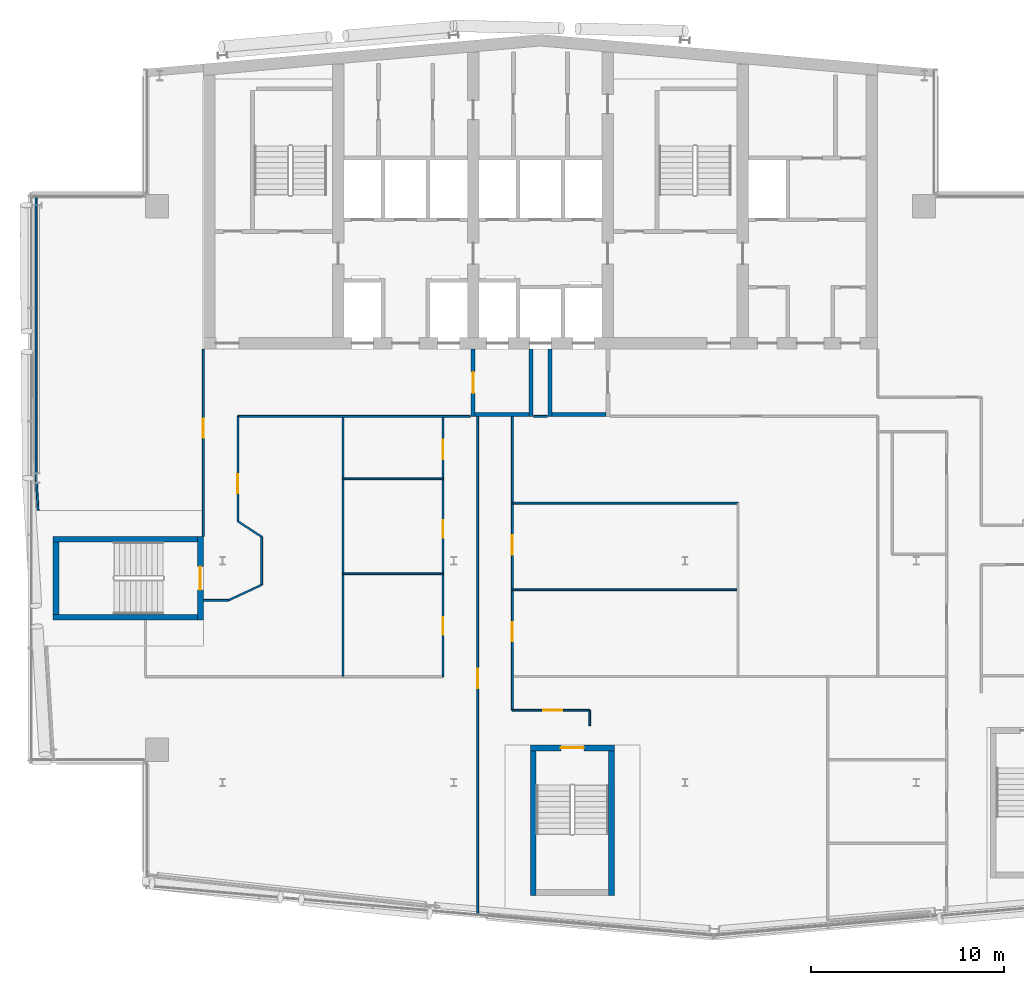
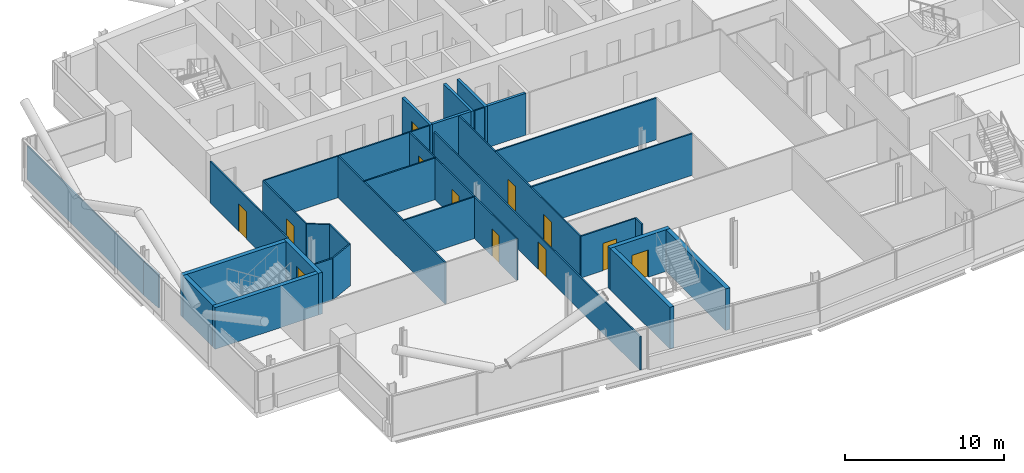
# One storey, part 15 of 27: 32 walls, 12 doors, 12 openings.
"""IFC4 building model written with IfcOpenShell, lengths in metres."""

from ifc_helpers import new_model, si_unit, direction, frame, frame_2d, origin, place, context, subcontext, project, spatial, rectangle, extrude, material, layer, layer_set, type_object, element, fill, save


model = new_model("IFC4")

# Units and contexts
model_context = context("Model", 3, precision=1e-05, world=origin(), true_north=direction((0.0, 1.0)))
body_context = subcontext(model_context, "Body", "Model", "MODEL_VIEW")
ifc_project = project(units=[si_unit("LENGTHUNIT", "METRE"), si_unit("AREAUNIT", "SQUARE_METRE"), si_unit("VOLUMEUNIT", "CUBIC_METRE"), si_unit("PLANEANGLEUNIT", "RADIAN"), si_unit("MASSUNIT", "GRAM", prefix="KILO")], contexts=[model_context])

# Site, building, storey
site_placement = place(None, origin())
site = spatial("IfcSite", under=ifc_project, at=site_placement, CompositionType="ELEMENT")
building_placement = place(site_placement, origin())
building = spatial("IfcBuilding", under=site, at=building_placement, Name="Wharfspan Tower", CompositionType="ELEMENT")
storey_placement = place(building_placement, frame((0.0, 0.0, 228.699951)))
storey = spatial("IfcBuildingStorey", under=building, at=storey_placement, Name="L57", CompositionType="ELEMENT", Elevation=228.699951)

# Wall, opening, door
ifc_material_1 = material(Name="Gypsum board on steel studs", Category="steel")
ifc_layer_1 = layer(ifc_material_1, 0.100098)
ifc_layer_set_1 = layer_set([ifc_layer_1], Name="Gypsum board on steel studs")
wall_type_1 = type_object("IfcWallType", Name="Compartment wall 100 EI 60", PredefinedType="PARTITIONING", material=ifc_layer_set_1)
wall_1_placement = place(storey_placement, frame((23.0, 24.274902, 0.0), z_axis=(0.0, 0.0, 1.0), x_axis=(0.0, 1.0, 0.0)))
wall_1 = element("IfcWall", 1, at=wall_1_placement, inside=storey, type_object=wall_type_1, Name="Partition L57.w007", PredefinedType="PARTITIONING", context=body_context, shape_type="SweptSolid", body=[
    extrude(rectangle(XDim=9.705078, YDim=0.100098, at=frame_2d((4.852539, 0.0))), origin(), (0.0, 0.0, 1.0), 3.199951),
])
opening_1_placement = place(wall_1_placement, frame((5.10498, 0.0, 0.0)))
opening_1 = element("IfcOpeningElement", 2, at=opening_1_placement, cuts=wall_1, Name="Opening D3-15", PredefinedType="OPENING", context=body_context, shape_type="SweptSolid", body=[
    extrude(rectangle(XDim=1.0, YDim=2.100098, at=frame_2d((0.5, 1.050049))), frame((0.0, 0.060059, 0.0), z_axis=(0.0, -1.0, 0.0), x_axis=(1.0, 0.0, 0.0)), (0.0, 0.0, 1.0), 0.120117),
])
ifc_material_2 = material(Name="Fire-rated timber door leaf in steel frame", Category="steel")
door_type_1 = type_object("IfcDoorType", Name="Door 1000 FD30S Right", OperationType="SINGLE_SWING_RIGHT", PredefinedType="DOOR", material=ifc_material_2)
door_1_placement = place(opening_1_placement, origin())
door_1 = element("IfcDoor", 3, at=door_1_placement, inside=storey, type_object=door_type_1, Name="Door D3-15", OperationType="SINGLE_SWING_RIGHT", OverallHeight=2.100098, OverallWidth=1.0, PredefinedType="DOOR", context=body_context, shape_type="SweptSolid", body=[
    extrude(rectangle(XDim=1.0, YDim=2.100098, at=frame_2d((0.5, 1.050049))), frame((0.0, 0.024902, 0.0), z_axis=(0.0, -1.0, 0.0), x_axis=(1.0, 0.0, 0.0)), (0.0, 0.0, 1.0), 0.050049),
])
fill(opening_1, door_1)

# Walls
wall_2_placement = place(storey_placement, frame((23.02002, 20.949951, 0.0), z_axis=(0.0, 0.0, 1.0), x_axis=(1.0, 0.0, 0.0)))
element("IfcWall", 4, at=wall_2_placement, inside=storey, type_object=wall_type_1, Name="Partition L57.w008", PredefinedType="PARTITIONING", context=body_context, shape_type="SweptSolid", body=[
    extrude(rectangle(XDim=1.280029, YDim=0.100098, at=frame_2d((0.640137, 0.0))), origin(), (0.0, 0.0, 1.0), 3.199951),
])
wall_3_placement = place(storey_placement, frame((24.300049, 20.949951, 0.0), z_axis=(0.0, 0.0, 1.0), x_axis=(0.907168, 0.420777, 0.0)))
element("IfcWall", 5, at=wall_3_placement, inside=storey, type_object=wall_type_1, Name="Partition L57.w009", PredefinedType="PARTITIONING", context=body_context, shape_type="SweptSolid", body=[
    extrude(rectangle(XDim=1.901367, YDim=0.100098, at=frame_2d((0.950684, 0.0))), origin(), (0.0, 0.0, 1.0), 3.199951),
])

# Wall, opening, door
wall_4_placement = place(storey_placement, frame((24.800049, 25.050049, 0.0), z_axis=(0.0, 0.0, 1.0), x_axis=(0.0, 1.0, 0.0)))
wall_4 = element("IfcWall", 6, at=wall_4_placement, inside=storey, type_object=wall_type_1, Name="Partition L57.w010", PredefinedType="PARTITIONING", context=body_context, shape_type="SweptSolid", body=[
    extrude(rectangle(XDim=5.449951, YDim=0.100098, at=frame_2d((2.725098, 0.0))), origin(), (0.0, 0.0, 1.0), 3.199951),
])
opening_2_placement = place(wall_4_placement, frame((1.455322, 0.0, 0.0)))
opening_2 = element("IfcOpeningElement", 7, at=opening_2_placement, cuts=wall_4, Name="Opening D3-12", PredefinedType="OPENING", context=body_context, shape_type="SweptSolid", body=[
    extrude(rectangle(XDim=1.0, YDim=2.100098, at=frame_2d((0.5, 1.050049))), frame((0.0, 0.060059, 0.0), z_axis=(0.0, -1.0, 0.0), x_axis=(1.0, 0.0, 0.0)), (0.0, 0.0, 1.0), 0.120117),
])
door_type_2 = type_object("IfcDoorType", Name="Door 1000 FD30S Left", OperationType="SINGLE_SWING_LEFT", PredefinedType="DOOR", material=ifc_material_2)
door_2_placement = place(opening_2_placement, origin())
door_2 = element("IfcDoor", 8, at=door_2_placement, inside=storey, type_object=door_type_2, Name="Door D3-12", OperationType="SINGLE_SWING_LEFT", OverallHeight=2.100098, OverallWidth=1.0, PredefinedType="DOOR", context=body_context, shape_type="SweptSolid", body=[
    extrude(rectangle(XDim=1.0, YDim=2.100098, at=frame_2d((0.5, 1.050049))), frame((0.0, 0.024902, 0.0), z_axis=(0.0, -1.0, 0.0), x_axis=(1.0, 0.0, 0.0)), (0.0, 0.0, 1.0), 0.050049),
])
fill(opening_2, door_2)

# Walls
wall_5_placement = place(storey_placement, frame((24.800049, 30.5, 0.0), z_axis=(0.0, 0.0, 1.0), x_axis=(1.0, 0.0, 0.0)))
element("IfcWall", 9, at=wall_5_placement, inside=storey, type_object=wall_type_1, Name="Partition L57.w011", PredefinedType="PARTITIONING", context=body_context, shape_type="SweptSolid", body=[
    extrude(rectangle(XDim=12.050049, YDim=0.100098, at=frame_2d((6.024902, 0.0))), origin(), (0.0, 0.0, 1.0), 3.199951),
])
wall_6_placement = place(storey_placement, frame((26.024902, 21.75, 0.0), z_axis=(0.0, 0.0, 1.0), x_axis=(0.0, 1.0, 0.0)))
element("IfcWall", 10, at=wall_6_placement, inside=storey, type_object=wall_type_1, Name="Partition L57.w012", PredefinedType="PARTITIONING", context=body_context, shape_type="SweptSolid", body=[
    extrude(rectangle(XDim=2.5, YDim=0.100098, at=frame_2d((1.25, 0.0))), origin(), (0.0, 0.0, 1.0), 3.199951),
])
wall_7_placement = place(storey_placement, frame((26.024902, 24.25, 0.0), z_axis=(0.0, 0.0, 1.0), x_axis=(-0.837222, 0.546856, 0.0)))
element("IfcWall", 11, at=wall_7_placement, inside=storey, type_object=wall_type_1, Name="Partition L57.w013", PredefinedType="PARTITIONING", context=body_context, shape_type="SweptSolid", body=[
    extrude(rectangle(XDim=1.462891, YDim=0.100098, at=frame_2d((0.731445, 0.0))), origin(), (0.0, 0.0, 1.0), 3.199951),
])
wall_8_placement = place(storey_placement, frame((30.25, 17.0, 0.0), z_axis=(0.0, 0.0, 1.0), x_axis=(0.0, 1.0, 0.0)))
element("IfcWall", 12, at=wall_8_placement, inside=storey, type_object=wall_type_1, Name="Partition L57.w014", PredefinedType="PARTITIONING", context=body_context, shape_type="SweptSolid", body=[
    extrude(rectangle(XDim=13.5, YDim=0.100098, at=frame_2d((6.75, 0.0))), origin(), (0.0, 0.0, 1.0), 3.199951),
])

# Wall, openings, doors
wall_9_placement = place(storey_placement, frame((35.439941, 16.995117, 0.0), z_axis=(0.0, 0.0, 1.0), x_axis=(0.0, 1.0, 0.0)))
wall_9 = element("IfcWall", 13, at=wall_9_placement, inside=storey, type_object=wall_type_1, Name="Partition L57.w018", PredefinedType="PARTITIONING", context=body_context, shape_type="SweptSolid", body=[
    extrude(rectangle(XDim=13.494873, YDim=0.100098, at=frame_2d((6.747559, 0.0))), origin(), (0.0, 0.0, 1.0), 3.199951),
])
opening_3_placement = place(wall_9_placement, frame((2.166016, 0.0, 0.0)))
opening_3 = element("IfcOpeningElement", 14, at=opening_3_placement, cuts=wall_9, Name="Opening D3-07", PredefinedType="OPENING", context=body_context, shape_type="SweptSolid", body=[
    extrude(rectangle(XDim=0.899902, YDim=2.100098, at=frame_2d((0.449951, 1.050049))), frame((0.0, 0.060059, 0.0), z_axis=(0.0, -1.0, 0.0), x_axis=(1.0, 0.0, 0.0)), (0.0, 0.0, 1.0), 0.120117),
])
opening_4_placement = place(wall_9_placement, frame((7.215088, 0.0, 0.0)))
opening_4 = element("IfcOpeningElement", 15, at=opening_4_placement, cuts=wall_9, Name="Opening D3-11", PredefinedType="OPENING", context=body_context, shape_type="SweptSolid", body=[
    extrude(rectangle(XDim=0.899902, YDim=2.100098, at=frame_2d((0.449951, 1.050049))), frame((0.0, 0.060059, 0.0), z_axis=(0.0, -1.0, 0.0), x_axis=(1.0, 0.0, 0.0)), (0.0, 0.0, 1.0), 0.120117),
])
opening_5_placement = place(wall_9_placement, frame((11.2854, 0.0, 0.0)))
opening_5 = element("IfcOpeningElement", 16, at=opening_5_placement, cuts=wall_9, Name="Opening D3-14", PredefinedType="OPENING", context=body_context, shape_type="SweptSolid", body=[
    extrude(rectangle(XDim=1.0, YDim=2.100098, at=frame_2d((0.5, 1.050049))), frame((0.0, 0.060059, 0.0), z_axis=(0.0, -1.0, 0.0), x_axis=(1.0, 0.0, 0.0)), (0.0, 0.0, 1.0), 0.120117),
])
ifc_material_3 = material(Name="Timber door leaf in steel frame", Category="steel")
door_type_3 = type_object("IfcDoorType", Name="Door 1000 NOT RATED Right", OperationType="SINGLE_SWING_RIGHT", PredefinedType="DOOR", material=ifc_material_3)
door_3_placement = place(opening_5_placement, origin())
door_3 = element("IfcDoor", 17, at=door_3_placement, inside=storey, type_object=door_type_3, Name="Door D3-14", OperationType="SINGLE_SWING_RIGHT", OverallHeight=2.100098, OverallWidth=1.0, PredefinedType="DOOR", context=body_context, shape_type="SweptSolid", body=[
    extrude(rectangle(XDim=1.0, YDim=2.100098, at=frame_2d((0.5, 1.050049))), frame((0.0, 0.024902, 0.0), z_axis=(0.0, -1.0, 0.0), x_axis=(1.0, 0.0, 0.0)), (0.0, 0.0, 1.0), 0.050049),
])
fill(opening_5, door_3)
door_type_4 = type_object("IfcDoorType", Name="Door 900 NOT RATED Left", OperationType="SINGLE_SWING_LEFT", PredefinedType="DOOR", material=ifc_material_3)
door_4_placement = place(opening_3_placement, origin())
door_4 = element("IfcDoor", 18, at=door_4_placement, inside=storey, type_object=door_type_4, Name="Door D3-07", OperationType="SINGLE_SWING_LEFT", OverallHeight=2.100098, OverallWidth=0.899902, PredefinedType="DOOR", context=body_context, shape_type="SweptSolid", body=[
    extrude(rectangle(XDim=0.899902, YDim=2.100098, at=frame_2d((0.449951, 1.050049))), frame((0.0, 0.024902, 0.0), z_axis=(0.0, -1.0, 0.0), x_axis=(1.0, 0.0, 0.0)), (0.0, 0.0, 1.0), 0.050049),
])
fill(opening_3, door_4)
door_type_5 = type_object("IfcDoorType", Name="Door 900 NOT RATED Right", OperationType="SINGLE_SWING_RIGHT", PredefinedType="DOOR", material=ifc_material_3)
door_5_placement = place(opening_4_placement, origin())
door_5 = element("IfcDoor", 19, at=door_5_placement, inside=storey, type_object=door_type_5, Name="Door D3-11", OperationType="SINGLE_SWING_RIGHT", OverallHeight=2.100098, OverallWidth=0.899902, PredefinedType="DOOR", context=body_context, shape_type="SweptSolid", body=[
    extrude(rectangle(XDim=0.899902, YDim=2.100098, at=frame_2d((0.449951, 1.050049))), frame((0.0, 0.024902, 0.0), z_axis=(0.0, -1.0, 0.0), x_axis=(1.0, 0.0, 0.0)), (0.0, 0.0, 1.0), 0.050049),
])
fill(opening_4, door_5)

# Wall, opening, door
wall_10_placement = place(storey_placement, frame((37.23999, 4.586914, 0.0), z_axis=(0.0, 0.0, 1.0), x_axis=(0.0, 1.0, 0.0)))
wall_10 = element("IfcWall", 20, at=wall_10_placement, inside=storey, type_object=wall_type_1, Name="Partition L57.w019", PredefinedType="PARTITIONING", context=body_context, shape_type="SweptSolid", body=[
    extrude(rectangle(XDim=25.903076, YDim=0.100098, at=frame_2d((12.95166, 0.0))), origin(), (0.0, 0.0, 1.0), 2.580078),
])
opening_6_placement = place(wall_10_placement, frame((11.80249, 0.0, 0.0)))
opening_6 = element("IfcOpeningElement", 21, at=opening_6_placement, cuts=wall_10, Name="Opening D3-05", PredefinedType="OPENING", context=body_context, shape_type="SweptSolid", body=[
    extrude(rectangle(XDim=1.0, YDim=2.100098, at=frame_2d((0.5, 1.050049))), frame((0.0, 0.060059, 0.0), z_axis=(0.0, -1.0, 0.0), x_axis=(1.0, 0.0, 0.0)), (0.0, 0.0, 1.0), 0.120117),
])
door_6_placement = place(opening_6_placement, origin())
door_6 = element("IfcDoor", 22, at=door_6_placement, inside=storey, type_object=door_type_2, Name="Door D3-05", OperationType="SINGLE_SWING_LEFT", OverallHeight=2.100098, OverallWidth=1.0, PredefinedType="DOOR", context=body_context, shape_type="SweptSolid", body=[
    extrude(rectangle(XDim=1.0, YDim=2.100098, at=frame_2d((0.5, 1.050049))), frame((0.0, 0.024902, 0.0), z_axis=(0.0, -1.0, 0.0), x_axis=(1.0, 0.0, 0.0)), (0.0, 0.0, 1.0), 0.050049),
])
fill(opening_6, door_6)

# Wall, openings, doors
wall_11_placement = place(storey_placement, frame((39.040039, 15.245117, 0.0), z_axis=(0.0, 0.0, 1.0), x_axis=(0.0, 1.0, 0.0)))
wall_11 = element("IfcWall", 23, at=wall_11_placement, inside=storey, type_object=wall_type_1, Name="Partition L57.w020", PredefinedType="PARTITIONING", context=body_context, shape_type="SweptSolid", body=[
    extrude(rectangle(XDim=15.254883, YDim=0.100098, at=frame_2d((7.627441, 0.0))), origin(), (0.0, 0.0, 1.0), 3.199951),
])
opening_7_placement = place(wall_11_placement, frame((3.574951, 0.0, 0.0)))
opening_7 = element("IfcOpeningElement", 24, at=opening_7_placement, cuts=wall_11, Name="Opening D3-06", PredefinedType="OPENING", context=body_context, shape_type="SweptSolid", body=[
    extrude(rectangle(XDim=1.0, YDim=2.100098, at=frame_2d((0.5, 1.050049))), frame((0.0, 0.060059, 0.0), z_axis=(0.0, -1.0, 0.0), x_axis=(1.0, 0.0, 0.0)), (0.0, 0.0, 1.0), 0.120117),
])
opening_8_placement = place(wall_11_placement, frame((8.074951, 0.0, 0.0)))
opening_8 = element("IfcOpeningElement", 25, at=opening_8_placement, cuts=wall_11, Name="Opening D3-10", PredefinedType="OPENING", context=body_context, shape_type="SweptSolid", body=[
    extrude(rectangle(XDim=1.0, YDim=2.100098, at=frame_2d((0.5, 1.050049))), frame((0.0, 0.060059, 0.0), z_axis=(0.0, -1.0, 0.0), x_axis=(1.0, 0.0, 0.0)), (0.0, 0.0, 1.0), 0.120117),
])
door_7_placement = place(opening_7_placement, origin())
door_7 = element("IfcDoor", 26, at=door_7_placement, inside=storey, type_object=door_type_2, Name="Door D3-06", OperationType="SINGLE_SWING_LEFT", OverallHeight=2.100098, OverallWidth=1.0, PredefinedType="DOOR", context=body_context, shape_type="SweptSolid", body=[
    extrude(rectangle(XDim=1.0, YDim=2.100098, at=frame_2d((0.5, 1.050049))), frame((0.0, 0.024902, 0.0), z_axis=(0.0, -1.0, 0.0), x_axis=(1.0, 0.0, 0.0)), (0.0, 0.0, 1.0), 0.050049),
])
fill(opening_7, door_7)
door_8_placement = place(opening_8_placement, origin())
door_8 = element("IfcDoor", 27, at=door_8_placement, inside=storey, type_object=door_type_1, Name="Door D3-10", OperationType="SINGLE_SWING_RIGHT", OverallHeight=2.100098, OverallWidth=1.0, PredefinedType="DOOR", context=body_context, shape_type="SweptSolid", body=[
    extrude(rectangle(XDim=1.0, YDim=2.100098, at=frame_2d((0.5, 1.050049))), frame((0.0, 0.024902, 0.0), z_axis=(0.0, -1.0, 0.0), x_axis=(1.0, 0.0, 0.0)), (0.0, 0.0, 1.0), 0.050049),
])
fill(opening_8, door_8)

# Wall, opening, door
wall_12_placement = place(storey_placement, frame((39.040039, 15.245117, 0.0), z_axis=(0.0, 0.0, 1.0), x_axis=(1.0, 0.0, 0.0)))
wall_12 = element("IfcWall", 28, at=wall_12_placement, inside=storey, type_object=wall_type_1, Name="Partition L57.w021", PredefinedType="PARTITIONING", context=body_context, shape_type="SweptSolid", body=[
    extrude(rectangle(XDim=4.01001, YDim=0.100098, at=frame_2d((2.004883, 0.0))), origin(), (0.0, 0.0, 1.0), 3.199951),
])
opening_9_placement = place(wall_12_placement, frame((1.594971, 0.0, 0.0)))
opening_9 = element("IfcOpeningElement", 29, at=opening_9_placement, cuts=wall_12, Name="Opening D3-04", PredefinedType="OPENING", context=body_context, shape_type="SweptSolid", body=[
    extrude(rectangle(XDim=1.0, YDim=2.100098, at=frame_2d((0.5, 1.050049))), frame((0.0, 0.060059, 0.0), z_axis=(0.0, -1.0, 0.0), x_axis=(1.0, 0.0, 0.0)), (0.0, 0.0, 1.0), 0.120117),
])
door_9_placement = place(opening_9_placement, origin())
door_9 = element("IfcDoor", 30, at=door_9_placement, inside=storey, type_object=door_type_1, Name="Door D3-04", OperationType="SINGLE_SWING_RIGHT", OverallHeight=2.100098, OverallWidth=1.0, PredefinedType="DOOR", context=body_context, shape_type="SweptSolid", body=[
    extrude(rectangle(XDim=1.0, YDim=2.100098, at=frame_2d((0.5, 1.050049))), frame((0.0, 0.024902, 0.0), z_axis=(0.0, -1.0, 0.0), x_axis=(1.0, 0.0, 0.0)), (0.0, 0.0, 1.0), 0.050049),
])
fill(opening_9, door_9)

# Walls
for number, where, z_axis, x_axis, name in (
    (31, (39.040039, 21.5, 0.0), (0.0, 0.0, 1.0), (1.0, 0.0, 0.0), "Partition L57.w023"),
    (32, (39.040039, 26.0, 0.0), (0.0, 0.0, 1.0), (1.0, 0.0, 0.0), "Partition L57.w024"),
):
    element("IfcWall", number, at=place(storey_placement, frame(where, z_axis=z_axis, x_axis=x_axis)), inside=storey, type_object=wall_type_1, Name=name, PredefinedType="PARTITIONING", context=body_context, shape_type="SweptSolid", body=[
        extrude(rectangle(XDim=11.709961, YDim=0.100098, at=frame_2d((5.85498, 0.0))), origin(), (0.0, 0.0, 1.0), 3.199951),
    ])
wall_13_placement = place(storey_placement, frame((40.149902, 30.5, 0.0), z_axis=(0.0, 0.0, 1.0), x_axis=(1.0, 0.0, 0.0)))
element("IfcWall", 33, at=wall_13_placement, inside=storey, type_object=wall_type_1, Name="Partition L57.w025", PredefinedType="PARTITIONING", context=body_context, shape_type="SweptSolid", body=[
    extrude(rectangle(XDim=0.700195, YDim=0.100098, at=frame_2d((0.350098, 0.0))), origin(), (0.0, 0.0, 1.0), 3.199951),
])
wall_14_placement = place(storey_placement, frame((43.054932, 14.443115, 0.0), z_axis=(0.0, 0.0, 1.0), x_axis=(0.0, 1.0, 0.0)))
element("IfcWall", 34, at=wall_14_placement, inside=storey, type_object=wall_type_1, Name="Partition L57.w026", PredefinedType="PARTITIONING", context=body_context, shape_type="SweptSolid", body=[
    extrude(rectangle(XDim=0.802002, YDim=0.100098, at=frame_2d((0.400879, 0.0))), origin(), (0.0, 0.0, 1.0), 3.199951),
])

# Wall, opening, door
ifc_material_4 = material(Name="Concrete C30/37", Category="concrete")
ifc_layer_2 = layer(ifc_material_4, 0.199951)
ifc_layer_set_2 = layer_set([ifc_layer_2], Name="Concrete C30/37")
wall_type_2 = type_object("IfcWallType", Name="Lobby wall 200", PredefinedType="PARTITIONING", material=ifc_layer_set_2)
wall_15_placement = place(storey_placement, frame((37.0, 30.5, 0.0), z_axis=(0.0, 0.0, 1.0), x_axis=(0.0, 1.0, 0.0)))
wall_15 = element("IfcWall", 35, at=wall_15_placement, inside=storey, type_object=wall_type_2, Name="sw:L57:FLFF1W", PredefinedType="PARTITIONING", context=body_context, shape_type="SweptSolid", body=[
    extrude(rectangle(XDim=3.5, YDim=0.199951, at=frame_2d((1.75, 0.0))), origin(), (0.0, 0.0, 1.0), 3.199951),
])
opening_10_placement = place(wall_15_placement, frame((1.199951, 0.0, 0.0)))
opening_10 = element("IfcOpeningElement", 36, at=opening_10_placement, cuts=wall_15, Name="Opening FL.FF1.L57", PredefinedType="OPENING", context=body_context, shape_type="SweptSolid", body=[
    extrude(rectangle(XDim=1.100098, YDim=2.100098, at=frame_2d((0.550049, 1.050049))), frame((0.0, 0.109863, 0.0), z_axis=(0.0, -1.0, 0.0), x_axis=(1.0, 0.0, 0.0)), (0.0, 0.0, 1.0), 0.219971),
])
ifc_material_5 = material(Name="Steel door leaf", Category="steel")
door_type_6 = type_object("IfcDoorType", Name="Firefighting lobby door 1100x2100", OperationType="SINGLE_SWING_LEFT", PredefinedType="DOOR", material=ifc_material_5)
door_10_placement = place(opening_10_placement, origin())
door_10 = element("IfcDoor", 37, at=door_10_placement, inside=storey, type_object=door_type_6, Name="fd:L57:FF1", OperationType="SINGLE_SWING_LEFT", OverallHeight=2.100098, OverallWidth=1.100098, PredefinedType="DOOR", context=body_context, shape_type="SweptSolid", body=[
    extrude(rectangle(XDim=1.100098, YDim=2.100098, at=frame_2d((0.550049, 1.050049))), frame((0.0, 0.024902, 0.0), z_axis=(0.0, -1.0, 0.0), x_axis=(1.0, 0.0, 0.0)), (0.0, 0.0, 1.0), 0.050049),
])
fill(opening_10, door_10)

# Walls
wall_16_placement = place(storey_placement, frame((40.0, 30.5, 0.0), z_axis=(0.0, 0.0, 1.0), x_axis=(0.0, 1.0, 0.0)))
element("IfcWall", 38, at=wall_16_placement, inside=storey, type_object=wall_type_2, Name="sw:L57:FLFF1E", PredefinedType="PARTITIONING", context=body_context, shape_type="SweptSolid", body=[
    extrude(rectangle(XDim=3.5, YDim=0.199951, at=frame_2d((1.75, 0.0))), origin(), (0.0, 0.0, 1.0), 3.199951),
])
wall_17_placement = place(storey_placement, frame((37.100098, 30.600098, 0.0), z_axis=(0.0, 0.0, 1.0), x_axis=(1.0, 0.0, 0.0)))
element("IfcWall", 39, at=wall_17_placement, inside=storey, type_object=wall_type_2, Name="sw:L57:FLFF1F", PredefinedType="PARTITIONING", context=body_context, shape_type="SweptSolid", body=[
    extrude(rectangle(XDim=2.799805, YDim=0.199951, at=frame_2d((1.399902, 0.0))), origin(), (0.0, 0.0, 1.0), 3.199951),
])
wall_18_placement = place(storey_placement, frame((41.0, 30.5, 0.0), z_axis=(0.0, 0.0, 1.0), x_axis=(0.0, 1.0, 0.0)))
element("IfcWall", 40, at=wall_18_placement, inside=storey, type_object=wall_type_2, Name="sw:L57:FLFF2W", PredefinedType="PARTITIONING", context=body_context, shape_type="SweptSolid", body=[
    extrude(rectangle(XDim=3.5, YDim=0.199951, at=frame_2d((1.75, 0.0))), origin(), (0.0, 0.0, 1.0), 3.199951),
])
wall_19_placement = place(storey_placement, frame((41.100098, 30.600098, 0.0), z_axis=(0.0, 0.0, 1.0), x_axis=(1.0, 0.0, 0.0)))
element("IfcWall", 41, at=wall_19_placement, inside=storey, type_object=wall_type_2, Name="sw:L57:FLFF2F", PredefinedType="PARTITIONING", context=body_context, shape_type="SweptSolid", body=[
    extrude(rectangle(XDim=2.799805, YDim=0.199951, at=frame_2d((1.399902, 0.0))), origin(), (0.0, 0.0, 1.0), 3.199951),
])
ifc_layer_3 = layer(ifc_material_1, 0.100098)
ifc_layer_set_3 = layer_set([ifc_layer_3], Name="Gypsum board on steel studs")
wall_type_3 = type_object("IfcWallType", Name="Partition 100", PredefinedType="PARTITIONING", material=ifc_layer_set_3)
wall_20_placement = place(storey_placement, frame((14.324951, 27.300049, 0.0), z_axis=(0.0, 0.0, 1.0), x_axis=(0.0, 1.0, 0.0)))
element("IfcWall", 42, at=wall_20_placement, inside=storey, type_object=wall_type_3, Name="Partition L57.w001", PredefinedType="PARTITIONING", context=body_context, shape_type="SweptSolid", body=[
    extrude(rectangle(XDim=14.679932, YDim=0.100098, at=frame_2d((7.339844, 0.0))), origin(), (0.0, 0.0, 1.0), 2.580078),
])
wall_21_placement = place(storey_placement, frame((14.428711, 25.620117, 0.0), z_axis=(0.0, 0.0, 1.0), x_axis=(-0.061647, 0.998101, 0.0)))
element("IfcWall", 43, at=wall_21_placement, inside=storey, type_object=wall_type_3, Name="Partition L57.w002", PredefinedType="PARTITIONING", context=body_context, shape_type="SweptSolid", body=[
    extrude(rectangle(XDim=1.683105, YDim=0.100098, at=frame_2d((0.841553, 0.0))), origin(), (0.0, 0.0, 1.0), 2.580078),
])
for number, where, z_axis, x_axis, name in (
    (44, (30.25, 22.330078, 0.0), (0.0, 0.0, 1.0), (1.0, 0.0, 0.0), "Partition L57.w015"),
    (45, (30.25, 27.26001, 0.0), (0.0, 0.0, 1.0), (1.0, 0.0, 0.0), "Partition L57.w016"),
):
    element("IfcWall", number, at=place(storey_placement, frame(where, z_axis=z_axis, x_axis=x_axis)), inside=storey, type_object=wall_type_3, Name=name, PredefinedType="PARTITIONING", context=body_context, shape_type="SweptSolid", body=[
        extrude(rectangle(XDim=5.189941, YDim=0.100098, at=frame_2d((2.594971, 0.0))), origin(), (0.0, 0.0, 1.0), 3.199951),
    ])

# Wall, opening, door
ifc_material_6 = material(Name="Concrete C40/50", Category="concrete")
ifc_layer_4 = layer(ifc_material_6, 0.300049)
ifc_layer_set_4 = layer_set([ifc_layer_4], Name="Concrete C40/50")
wall_type_4 = type_object("IfcWallType", Name="Stair core wall 300", PredefinedType="SHEAR", material=ifc_layer_set_4)
wall_22_placement = place(storey_placement, frame((22.850098, 19.925049, 0.0), z_axis=(0.0, 0.0, 1.0), x_axis=(0.0, 1.0, 0.0)))
wall_22 = element("IfcWall", 46, at=wall_22_placement, inside=storey, type_object=wall_type_4, Name="ST3 stair enclosure wall L57", PredefinedType="SHEAR", context=body_context, shape_type="SweptSolid", body=[
    extrude(rectangle(XDim=4.349854, YDim=0.300049, at=frame_2d((2.174805, 0.0))), origin(), (0.0, 0.0, 1.0), 3.199951),
])
opening_11_placement = place(wall_22_placement, frame((1.574951, 0.0, 0.0)))
opening_11 = element("IfcOpeningElement", 47, at=opening_11_placement, cuts=wall_22, Name="Opening SD3.L57", PredefinedType="OPENING", context=body_context, shape_type="SweptSolid", body=[
    extrude(rectangle(XDim=1.199951, YDim=2.100098, at=frame_2d((0.600098, 1.050049))), frame((0.0, 0.159912, 0.0), z_axis=(0.0, -1.0, 0.0), x_axis=(1.0, 0.0, 0.0)), (0.0, 0.0, 1.0), 0.320068),
])
door_type_7 = type_object("IfcDoorType", Name="Stair door 1200x2100", OperationType="SINGLE_SWING_LEFT", PredefinedType="DOOR", material=ifc_material_5)
door_11_placement = place(opening_11_placement, origin())
door_11 = element("IfcDoor", 48, at=door_11_placement, inside=storey, type_object=door_type_7, Name="sd:L57:ST3z4", OperationType="SINGLE_SWING_RIGHT", OverallHeight=2.100098, OverallWidth=1.199951, PredefinedType="DOOR", context=body_context, shape_type="SweptSolid", body=[
    extrude(rectangle(XDim=1.199951, YDim=2.100098, at=frame_2d((0.600098, 1.050049))), frame((0.0, 0.024902, 0.0), z_axis=(0.0, -1.0, 0.0), x_axis=(1.0, 0.0, 0.0)), (0.0, 0.0, 1.0), 0.050049),
])
fill(opening_11, door_11)

wall_23_placement = place(storey_placement, frame((39.977051, 13.293213, 0.0), z_axis=(0.0, 0.0, 1.0), x_axis=(1.0, 0.0, 0.0)))
wall_23 = element("IfcWall", 49, at=wall_23_placement, inside=storey, type_object=wall_type_4, Name="ST4 stair enclosure wall L57", PredefinedType="SHEAR", context=body_context, shape_type="SweptSolid", body=[
    extrude(rectangle(XDim=4.350098, YDim=0.300049, at=frame_2d((2.175049, 0.0))), origin(), (0.0, 0.0, 1.0), 3.199951),
])
opening_12_placement = place(wall_23_placement, frame((1.574951, 0.0, 0.0)))
opening_12 = element("IfcOpeningElement", 50, at=opening_12_placement, cuts=wall_23, Name="Opening SD4.L57", PredefinedType="OPENING", context=body_context, shape_type="SweptSolid", body=[
    extrude(rectangle(XDim=1.199951, YDim=2.100098, at=frame_2d((0.600098, 1.050049))), frame((0.0, 0.159912, 0.0), z_axis=(0.0, -1.0, 0.0), x_axis=(1.0, 0.0, 0.0)), (0.0, 0.0, 1.0), 0.320068),
])
door_12_placement = place(opening_12_placement, origin())
door_12 = element("IfcDoor", 51, at=door_12_placement, inside=storey, type_object=door_type_7, Name="sd:L57:ST4z4", OperationType="SINGLE_SWING_RIGHT", OverallHeight=2.100098, OverallWidth=1.199951, PredefinedType="DOOR", context=body_context, shape_type="SweptSolid", body=[
    extrude(rectangle(XDim=1.199951, YDim=2.100098, at=frame_2d((0.600098, 1.050049))), frame((0.0, 0.024902, 0.0), z_axis=(0.0, -1.0, 0.0), x_axis=(1.0, 0.0, 0.0)), (0.0, 0.0, 1.0), 0.050049),
])
fill(opening_12, door_12)

# Walls
for number, where, z_axis, x_axis, name in (
    (52, (15.199951, 20.074951, 0.0), (0.0, 0.0, 1.0), (1.0, 0.0, 0.0), "ST3 stair enclosure wall L57"),
    (53, (15.199951, 24.125, 0.0), (0.0, 0.0, 1.0), (1.0, 0.0, 0.0), "ST3 stair enclosure wall L57"),
):
    element("IfcWall", number, at=place(storey_placement, frame(where, z_axis=z_axis, x_axis=x_axis)), inside=storey, type_object=wall_type_4, Name=name, PredefinedType="SHEAR", context=body_context, shape_type="SweptSolid", body=[
        extrude(rectangle(XDim=7.5, YDim=0.300049, at=frame_2d((3.75, 0.0))), origin(), (0.0, 0.0, 1.0), 3.199951),
    ])
wall_24_placement = place(storey_placement, frame((15.350098, 20.225098, 0.0), z_axis=(0.0, 0.0, 1.0), x_axis=(0.0, 1.0, 0.0)))
element("IfcWall", 54, at=wall_24_placement, inside=storey, type_object=wall_type_4, Name="ST3 stair enclosure wall L57", PredefinedType="SHEAR", context=body_context, shape_type="SweptSolid", body=[
    extrude(rectangle(XDim=3.75, YDim=0.300049, at=frame_2d((1.875, 0.0))), origin(), (0.0, 0.0, 1.0), 3.199951),
])
for number, where, z_axis, x_axis, name in (
    (55, (40.127197, 5.643311, 0.0), (0.0, 0.0, 1.0), (0.0, 1.0, 0.0), "ST4 stair enclosure wall L57"),
    (56, (44.177002, 5.643311, 0.0), (0.0, 0.0, 1.0), (0.0, 1.0, 0.0), "ST4 stair enclosure wall L57"),
):
    element("IfcWall", number, at=place(storey_placement, frame(where, z_axis=z_axis, x_axis=x_axis)), inside=storey, type_object=wall_type_4, Name=name, PredefinedType="SHEAR", context=body_context, shape_type="SweptSolid", body=[
        extrude(rectangle(XDim=7.5, YDim=0.300049, at=frame_2d((3.75, 0.0))), origin(), (0.0, 0.0, 1.0), 3.199951),
    ])

save(model, "model.ifc")
